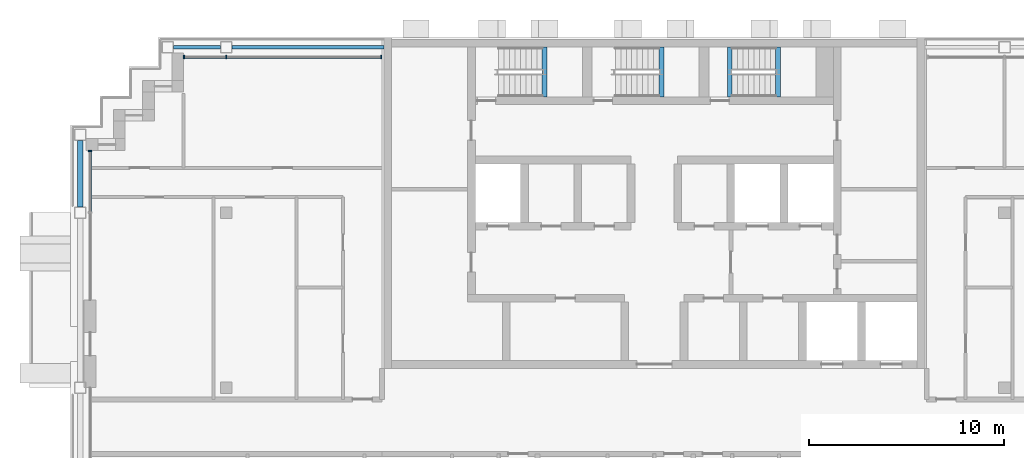
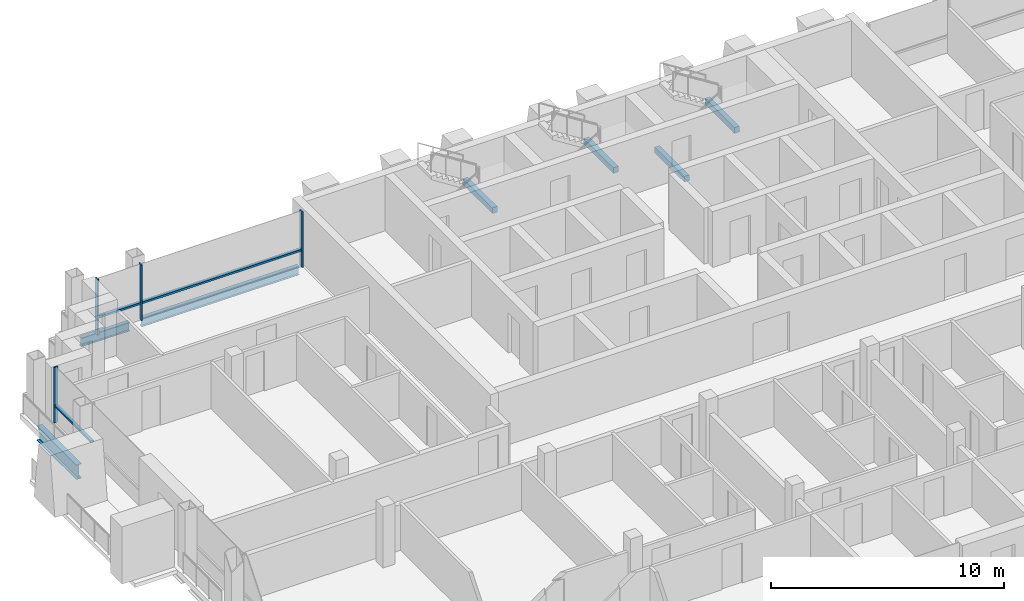
# One storey, part 4 of 16: 7 beams, 7 members, 2 elements without a shape of their own.
"""IFC4 building model written with IfcOpenShell, lengths in metres."""

import ifcopenshell
import ifcopenshell.guid

model = None  # the IFC model being written
_history = None  # IfcOwnerHistory: only IFC2X3 demands one
_inside = {}  # id of a spatial element -> (the spatial element, [elements in it])
_under = {}  # id of a project, library or spatial element -> (it, [spatial elements below it])
_declared = {}  # id of a project -> (the project, [libraries it declares])
_typed = {}  # id of a type object -> (the type object, [elements of that type])
_made_of = {}  # id of a material, layer set ... -> (it, [elements and type objects made of it])


def new_model(schema):
    """Start an empty IFC model of exactly this schema.

    Asked for "IFC4X3", IfcOpenShell would pick the latest addendum, in which some entities
    have other attributes; the version numbers below select the first issue.
    IFC2X3 requires an IfcOwnerHistory on every rooted entity: one is made here for all.
    """
    global model, _history
    if schema == "IFC4X3":
        model = ifcopenshell.file(schema_version=(4, 3, 0, 0))
    else:
        model = ifcopenshell.file(schema=schema)
    _inside.clear()
    _under.clear()
    _declared.clear()
    _typed.clear()
    _made_of.clear()
    _history = None
    if model.schema == "IFC2X3":
        org = make("IfcOrganization", Name="unknown")
        user = make(
            "IfcPersonAndOrganization",
            ThePerson=make("IfcPerson", FamilyName="unknown"),
            TheOrganization=org,
        )
        app = make(
            "IfcApplication",
            ApplicationDeveloper=org,
            Version="unknown",
            ApplicationFullName="unknown",
            ApplicationIdentifier="unknown",
        )
        _history = make(
            "IfcOwnerHistory",
            OwningUser=user,
            OwningApplication=app,
            ChangeAction="ADDED",
            CreationDate=0,
        )
    return model


def make(cls, **values):
    """One entity of the class cls with the attributes given. An attribute that is None is left unset."""
    return model.create_entity(
        cls, **{name: value for name, value in values.items() if value is not None}
    )


def rooted(cls, **values):
    """An entity with a GlobalId (a new one), such as an element, a storey or a relation."""
    return make(cls, GlobalId=ifcopenshell.guid.new(), OwnerHistory=_history, **values)


def si_unit(unit_type, name, prefix=None):
    """IfcSIUnit, for example si_unit("LENGTHUNIT", "METRE", prefix="MILLI")."""
    return make("IfcSIUnit", UnitType=unit_type, Prefix=prefix, Name=name)


def assignment(units):
    """IfcUnitAssignment: the units of a project."""
    return None if units is None else make("IfcUnitAssignment", Units=units)


def point(xyz):
    """IfcCartesianPoint."""
    return None if xyz is None else make("IfcCartesianPoint", Coordinates=xyz)


def direction(xyz):
    """IfcDirection."""
    return None if xyz is None else make("IfcDirection", DirectionRatios=xyz)


def frame(location, z_axis=None, x_axis=None):
    """IfcAxis2Placement3D, a coordinate frame: its origin and axes. An axis left out is left unset."""
    return make(
        "IfcAxis2Placement3D",
        Location=point(location),
        Axis=direction(z_axis),
        RefDirection=direction(x_axis),
    )


def frame_2d(location, x_axis=None):
    """IfcAxis2Placement2D, a coordinate frame in the plane: its origin and x axis."""
    return make(
        "IfcAxis2Placement2D", Location=point(location), RefDirection=direction(x_axis)
    )


def origin():
    """The frame at (0, 0, 0) with its axes left unset."""
    return frame((0.0, 0.0, 0.0))


def origin_2d():
    """The frame at (0, 0) in the plane with its x axis left unset."""
    return frame_2d((0.0, 0.0))


def place(relative_to, where):
    """IfcLocalPlacement: puts the frame where relative to a parent placement (None: the world)."""
    return make(
        "IfcLocalPlacement", PlacementRelTo=relative_to, RelativePlacement=where
    )


def context(
    kind, dimensions, precision=None, world=None, true_north=None, identifier=None
):
    """IfcGeometricRepresentationContext, for example the 3D "Model" context."""
    return make(
        "IfcGeometricRepresentationContext",
        ContextIdentifier=identifier,
        ContextType=kind,
        CoordinateSpaceDimension=dimensions,
        Precision=precision,
        WorldCoordinateSystem=world,
        TrueNorth=true_north,
    )


def subcontext(parent, identifier, kind, view, scale=None):
    """IfcGeometricRepresentationSubContext, for example "Body" below "Model"."""
    return make(
        "IfcGeometricRepresentationSubContext",
        ContextIdentifier=identifier,
        ContextType=kind,
        ParentContext=parent,
        TargetScale=scale,
        TargetView=view,
    )


def project(units=None, contexts=None):
    """IfcProject with its units and contexts."""
    return rooted(
        "IfcProject",
        Name="project",
        RepresentationContexts=contexts,
        UnitsInContext=assignment(units),
    )


def spatial(cls, under=None, at=None, **own):
    """A site, building, storey or space (cls), placed at a placement, below another one or the project."""
    s = rooted(cls, ObjectPlacement=at, **own)
    if under is not None:
        _under.setdefault(under.id(), (under, []))[1].append(s)
    return s


def profile(cls, at=None, kind="AREA", **sizes):
    """A parametric profile (cls). Its sizes go by their IFC names, for example OverallWidth=200.0."""
    return make(cls, ProfileType=kind, Position=at, **sizes)


def rectangle(**sizes):
    """IfcRectangleProfileDef."""
    return profile("IfcRectangleProfileDef", **sizes)


def i_section(**sizes):
    """IfcIShapeProfileDef."""
    return profile("IfcIShapeProfileDef", **sizes)


def extrude(swept, where, along, depth):
    """IfcExtrudedAreaSolid: the profile swept, set in the frame where, extruded along a direction by depth."""
    return make(
        "IfcExtrudedAreaSolid",
        SweptArea=swept,
        Position=where,
        ExtrudedDirection=direction(along),
        Depth=depth,
    )


def shape(context_of_items, identifier, shape_type, items):
    """IfcShapeRepresentation: the items that make up one representation, for example the "Body"."""
    return make(
        "IfcShapeRepresentation",
        ContextOfItems=context_of_items,
        RepresentationIdentifier=identifier,
        RepresentationType=shape_type,
        Items=items,
    )


def material(Name=None, Category=None):
    """IfcMaterial."""
    return make("IfcMaterial", Name=Name, Category=Category)


def material_profile(
    of_material, cross_section, Name=None, Category=None, Priority=None
):
    """IfcMaterialProfile: a cross section and its material."""
    return make(
        "IfcMaterialProfile",
        Name=Name,
        Material=of_material,
        Profile=cross_section,
        Priority=Priority,
        Category=Category,
    )


def profile_set(profiles, Name=None, composite=None):
    """IfcMaterialProfileSet."""
    return make(
        "IfcMaterialProfileSet",
        Name=Name,
        MaterialProfiles=profiles,
        CompositeProfile=composite,
    )


def made_of(thing, what):
    """Note that an element or type object is made of a material, layer set ...; save() writes the relation."""
    if what is not None:
        _made_of.setdefault(what.id(), (what, []))[1].append(thing)
    return thing


def type_object(cls, material=None, **own):
    """A type object (cls), such as IfcWallType, which elements share."""
    return made_of(rooted(cls, **own), material)


def element(
    cls,
    number,
    at=None,
    inside=None,
    cuts=None,
    type_object=None,
    material=None,
    context=None,
    identifier="Body",
    shape_type=None,
    held_by="IfcProductDefinitionShape",
    body=None,
    shapes=None,
    **own,
):
    """One element of the class cls, such as IfcWall. Its Tag is "e" and its number.

    at: its placement. inside: the storey or other place that contains it. cuts: it is an
    opening in that element (IfcRelVoidsElement). A single representation is given by context,
    identifier, shape_type and body (its items); several are given by shapes. held_by: the class
    of the entity that holds the representations. save() writes the other relations.
    """
    e = rooted(cls, Tag="e%d" % number, ObjectPlacement=at, **own)
    if body is not None:
        shapes = [shape(context, identifier, shape_type, body)]
    if shapes is not None:
        e.Representation = make(held_by, Representations=shapes)
    if inside is not None:
        _inside.setdefault(inside.id(), (inside, []))[1].append(e)
    if cuts is not None:
        rooted(
            "IfcRelVoidsElement", RelatingBuildingElement=cuts, RelatedOpeningElement=e
        )
    if type_object is not None:
        _typed.setdefault(type_object.id(), (type_object, []))[1].append(e)
    return made_of(e, material)


def aggregate(whole, parts):
    """IfcRelAggregates: a whole, such as a stair, and the parts it consists of."""
    return rooted("IfcRelAggregates", RelatingObject=whole, RelatedObjects=parts)


def save(model, path):
    """Write the relations noted so far, then the file.

    IfcRelAggregates (storeys below a building ...), IfcRelContainedInSpatialStructure (elements
    in a storey), IfcRelDefinesByType, IfcRelAssociatesMaterial and IfcRelDeclares: one each for
    every whole, place, type object, material and project.
    """
    for whole, parts in _under.values():
        aggregate(whole, parts)
    for where, things in _inside.values():
        rooted(
            "IfcRelContainedInSpatialStructure",
            RelatedElements=things,
            RelatingStructure=where,
        )
    for kind, things in _typed.values():
        rooted("IfcRelDefinesByType", RelatedObjects=things, RelatingType=kind)
    for what, things in _made_of.values():
        rooted("IfcRelAssociatesMaterial", RelatedObjects=things, RelatingMaterial=what)
    for by, libraries in _declared.values():
        rooted("IfcRelDeclares", RelatingContext=by, RelatedDefinitions=libraries)
    model.write(path)


model = new_model("IFC4")

# Units and contexts
model_context = context("Model", 3, precision=1e-05, world=origin(), true_north=direction((0.0, 1.0)))
body_context = subcontext(model_context, "Body", "Model", "MODEL_VIEW")
ifc_project = project(units=[si_unit("LENGTHUNIT", "METRE"), si_unit("AREAUNIT", "SQUARE_METRE"), si_unit("VOLUMEUNIT", "CUBIC_METRE"), si_unit("PLANEANGLEUNIT", "RADIAN"), si_unit("MASSUNIT", "GRAM", prefix="KILO")], contexts=[model_context])

# Site, building, storey
site_placement = place(None, origin())
site = spatial("IfcSite", under=ifc_project, at=site_placement, CompositionType="ELEMENT")
building_placement = place(site_placement, origin())
building = spatial("IfcBuilding", under=site, at=building_placement, Name="Vidyagriha Tower", CompositionType="ELEMENT")
storey_placement = place(building_placement, frame((0.0, 0.0, 217.199951171875)))
storey = spatial("IfcBuildingStorey", under=building, at=storey_placement, Name="L56", CompositionType="ELEMENT", Elevation=217.199951171875)

# Beams
ifc_material_1 = material(Name="Steel ASTM A992 Grade 50", Category="steel")
ifc_material_profile_1 = material_profile(ifc_material_1, i_section(OverallWidth=0.2666015625, OverallDepth=0.76953125, WebThickness=0.015625, FlangeThickness=0.025390625, at=origin_2d()), Name="W30X132")
ifc_profile_set_1 = profile_set([ifc_material_profile_1], Name="Steel ASTM A992 Grade 50")
beam_type_1 = type_object("IfcBeamType", Name="Cantilever edge beam W30X132", PredefinedType="SPANDREL", material=ifc_profile_set_1)
beam_1_placement = place(storey_placement, frame((-29.5, 11.300048828125, -0.664794921875), z_axis=(0.0, 1.0, 0.0), x_axis=(-1.0, 0.0, 0.0)))
element("IfcBeam", 1, at=beam_1_placement, inside=storey, type_object=beam_type_1, Name="st-beam-L56-W12", PredefinedType="SPANDREL", context=body_context, shape_type="SweptSolid", body=[
    extrude(i_section(OverallWidth=0.2666015625, OverallDepth=0.76953125, WebThickness=0.015625, FlangeThickness=0.025390625, at=origin_2d()), origin(), (0.0, 0.0, 1.0), 3.39990234375),
])
ifc_material_2 = material(Name="Steel ASTM A992 Grade 50", Category="steel")
ifc_material_profile_2 = material_profile(ifc_material_2, i_section(OverallWidth=0.19189453125, OverallDepth=0.46240234375, WebThickness=0.010498046875, FlangeThickness=0.017578125, at=origin_2d()), Name="W18X60")
ifc_profile_set_2 = profile_set([ifc_material_profile_2], Name="Steel ASTM A992 Grade 50")
beam_type_2 = type_object("IfcBeamType", Name="Edge beam W18X60", PredefinedType="SPANDREL", material=ifc_profile_set_2)
beam_2_placement = place(storey_placement, frame((-24.699951171875, 19.5, -0.510986328125), z_axis=(1.0, 0.0, 0.0), x_axis=(0.0, 1.0, 0.0)))
element("IfcBeam", 2, at=beam_2_placement, inside=storey, type_object=beam_type_2, Name="st-beam-L56-NW18", PredefinedType="SPANDREL", context=body_context, shape_type="SweptSolid", body=[
    extrude(i_section(OverallWidth=0.19189453125, OverallDepth=0.46240234375, WebThickness=0.010498046875, FlangeThickness=0.017578125, at=origin_2d()), origin(), (0.0, 0.0, 1.0), 2.39990234375),
])
beam_3_placement = place(storey_placement, frame((-21.699951171875, 19.5, -0.510986328125), z_axis=(1.0, 0.0, 0.0), x_axis=(0.0, 1.0, 0.0)))
element("IfcBeam", 3, at=beam_3_placement, inside=storey, type_object=beam_type_2, Name="st-beam-L56-NC20", PredefinedType="SPANDREL", context=body_context, shape_type="SweptSolid", body=[
    extrude(i_section(OverallWidth=0.19189453125, OverallDepth=0.46240234375, WebThickness=0.010498046875, FlangeThickness=0.017578125, at=origin_2d()), origin(), (0.0, 0.0, 1.0), 7.800048828125),
])

# Curtain wall, members
ifc_material_3 = material(Name="Aluminium and glass curtain wall", Category="aluminium")
curtain_wall_type = type_object("IfcCurtainWallType", Name="Dwelling skin unitised curtain wall", PredefinedType="USERDEFINED", material=ifc_material_3)
curtain_wall_1_placement = place(storey_placement, origin())
curtain_wall_1 = element("IfcCurtainWall", 4, at=curtain_wall_1_placement, inside=storey, type_object=curtain_wall_type, Name="CW1 dwelling skin", ObjectType="UNITISED", PredefinedType="USERDEFINED")
ifc_material_4 = material(Name="Aluminium black anodised", Category="aluminium")
ifc_material_profile_3 = material_profile(ifc_material_4, rectangle(XDim=0.199951171875, YDim=0.070068359375, at=origin_2d()), Name="Mullion 70x200 black aluminium")
ifc_profile_set_3 = profile_set([ifc_material_profile_3], Name="Aluminium black anodised")
member_type_1 = type_object("IfcMemberType", Name="Mullion 70x200 black aluminium", PredefinedType="MULLION", material=ifc_profile_set_3)
member_1_placement = place(storey_placement, frame((-14.034912109375, 19.0, 0.0), z_axis=(0.0, 0.0, 1.0), x_axis=(0.0, -1.0, 0.0)))
member_1 = element("IfcMember", 5, at=member_1_placement, type_object=member_type_1, Name="CW1 mullion 1", PredefinedType="MULLION", context=body_context, shape_type="SweptSolid", body=[
    extrude(rectangle(XDim=0.199951171875, YDim=0.070068359375, at=origin_2d()), origin(), (0.0, 0.0, 1.0), 2.920166015625),
])
member_2_placement = place(storey_placement, frame((-22.0, 19.0, 0.0), z_axis=(0.0, 0.0, 1.0), x_axis=(0.0, -1.0, 0.0)))
member_2 = element("IfcMember", 6, at=member_2_placement, type_object=member_type_1, Name="CW1 mullion 2", PredefinedType="MULLION", context=body_context, shape_type="SweptSolid", body=[
    extrude(rectangle(XDim=0.199951171875, YDim=0.070068359375, at=origin_2d()), origin(), (0.0, 0.0, 1.0), 2.920166015625),
])
member_3_placement = place(storey_placement, frame((-24.1650390625, 19.0, 0.0), z_axis=(0.0, 0.0, 1.0), x_axis=(0.0, -1.0, 0.0)))
member_3 = element("IfcMember", 7, at=member_3_placement, type_object=member_type_1, Name="CW1 mullion 3", PredefinedType="MULLION", context=body_context, shape_type="SweptSolid", body=[
    extrude(rectangle(XDim=0.199951171875, YDim=0.070068359375, at=origin_2d()), origin(), (0.0, 0.0, 1.0), 2.920166015625),
])

# Curtain wall, member
curtain_wall_2_placement = place(storey_placement, origin())
curtain_wall_2 = element("IfcCurtainWall", 8, at=curtain_wall_2_placement, inside=storey, type_object=curtain_wall_type, Name="CW1 dwelling skin", ObjectType="UNITISED", PredefinedType="USERDEFINED")
member_4_placement = place(storey_placement, frame((-29.0, 14.1650390625, 0.0)))
member_4 = element("IfcMember", 9, at=member_4_placement, type_object=member_type_1, Name="CW1 mullion 1", PredefinedType="MULLION", context=body_context, shape_type="SweptSolid", body=[
    extrude(rectangle(XDim=0.199951171875, YDim=0.070068359375, at=origin_2d()), origin(), (0.0, 0.0, 1.0), 2.920166015625),
])

# Beams
ifc_material_5 = material(Name="Concrete C40/50", Category="concrete")
ifc_material_profile_4 = material_profile(ifc_material_5, rectangle(XDim=0.25, YDim=0.300048828125, at=origin_2d()), Name="Stair landing bearing beam 250x300")
ifc_profile_set_4 = profile_set([ifc_material_profile_4], Name="Concrete C40/50")
beam_type_3 = type_object("IfcBeamType", Name="Stair landing bearing beam 250x300", PredefinedType="BEAM", material=ifc_profile_set_4)
for number, where, z_axis, x_axis, name in (
    (10, (3.875, 16.949951171875, -0.429931640625), (0.0, 1.0, 0.0), (-1.0, 0.0, 0.0), "ST3 floor landing bearing beam L56"),
    (11, (-5.635009765625, 16.949951171875, 1.25), (0.0, 1.0, 0.0), (-1.0, 0.0, 0.0), "ST1 landing bearing beam L56"),
    (12, (0.364990234375, 16.949951171875, 1.25), (0.0, 1.0, 0.0), (-1.0, 0.0, 0.0), "ST2 landing bearing beam L56"),
    (13, (6.364990234375, 16.949951171875, 1.25), (0.0, 1.0, 0.0), (-1.0, 0.0, 0.0), "ST3 landing bearing beam L56"),
):
    element("IfcBeam", number, at=place(storey_placement, frame(where, z_axis=z_axis, x_axis=x_axis)), inside=storey, type_object=beam_type_3, Name=name, PredefinedType="BEAM", context=body_context, shape_type="SweptSolid", body=[
        extrude(rectangle(XDim=0.25, YDim=0.300048828125, at=origin_2d()), origin(), (0.0, 0.0, 1.0), 2.550048828125),
    ])

# Member
ifc_material_6 = material(Name="Aluminium black anodised", Category="aluminium")
ifc_material_profile_5 = material_profile(ifc_material_6, rectangle(XDim=0.159912109375, YDim=0.10009765625, at=origin_2d()), Name="Transom 100x160 black aluminium")
ifc_profile_set_5 = profile_set([ifc_material_profile_5], Name="Aluminium black anodised")
member_type_2 = type_object("IfcMemberType", Name="Transom 100x160 black aluminium", PredefinedType="USERDEFINED", material=ifc_profile_set_5)
member_5_placement = place(storey_placement, frame((-14.070068359375, 19.0, 0.900146484375), z_axis=(-1.0, 0.0, 0.0), x_axis=(0.0, -1.0, 0.0)))
member_5 = element("IfcMember", 14, at=member_5_placement, type_object=member_type_2, Name="CW1 transom 1.1", ObjectType="TRANSOM", PredefinedType="USERDEFINED", context=body_context, shape_type="SweptSolid", body=[
    extrude(rectangle(XDim=0.159912109375, YDim=0.10009765625, at=origin_2d()), origin(), (0.0, 0.0, 1.0), 7.89501953125),
])

member_6_placement = place(storey_placement, frame((-22.034912109375, 19.0, 0.900146484375), z_axis=(-1.0, 0.0, 0.0), x_axis=(0.0, -1.0, 0.0)))
member_6 = element("IfcMember", 15, at=member_6_placement, type_object=member_type_2, Name="CW1 transom 2.1", ObjectType="TRANSOM", PredefinedType="USERDEFINED", context=body_context, shape_type="SweptSolid", body=[
    extrude(rectangle(XDim=0.159912109375, YDim=0.10009765625, at=origin_2d()), origin(), (0.0, 0.0, 1.0), 2.094970703125),
])

aggregate(curtain_wall_1, [member_1, member_2, member_3, member_5, member_6])

member_7_placement = place(storey_placement, frame((-29.0, 14.1298828125, 0.900146484375), z_axis=(0.0, -1.0, 0.0), x_axis=(1.0, 0.0, 0.0)))
member_7 = element("IfcMember", 16, at=member_7_placement, type_object=member_type_2, Name="CW1 transom 1.1", ObjectType="TRANSOM", PredefinedType="USERDEFINED", context=body_context, shape_type="SweptSolid", body=[
    extrude(rectangle(XDim=0.159912109375, YDim=0.10009765625, at=origin_2d()), origin(), (0.0, 0.0, 1.0), 3.094970703125),
])

aggregate(curtain_wall_2, [member_4, member_7])

save(model, "model.ifc")
